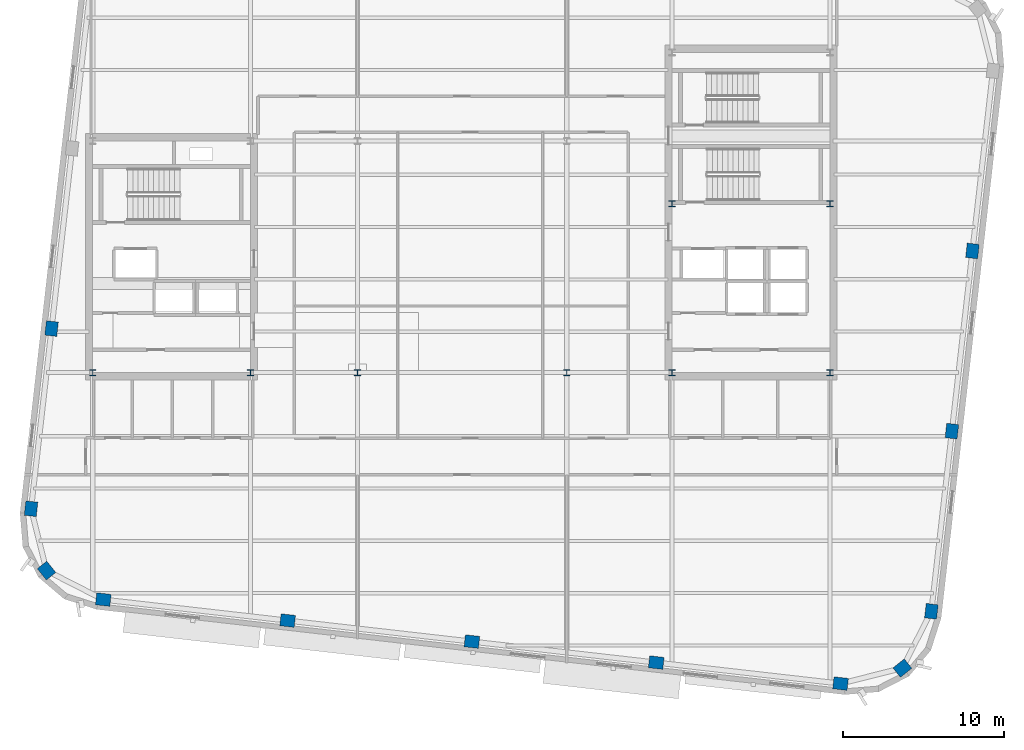
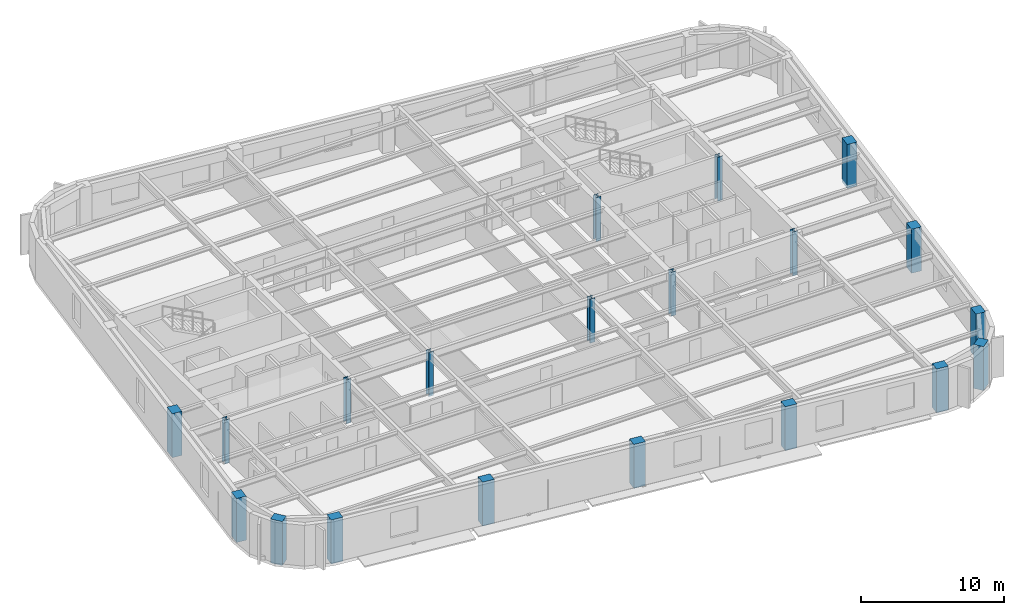
# One storey, part 1 of 14: 20 columns.
"""IFC4 building model written with IfcOpenShell, lengths in metres."""

from ifc_helpers import new_model, si_unit, direction, frame, origin, origin_2d, place, context, subcontext, project, spatial, rectangle, i_section, extrude, material, material_profile, profile_set, type_object, element, save


model = new_model("IFC4")

# Units and contexts
model_context = context("Model", 3, precision=1e-05, world=origin(), true_north=direction((0.0, 1.0)))
body_context = subcontext(model_context, "Body", "Model", "MODEL_VIEW")
ifc_project = project(units=[si_unit("LENGTHUNIT", "METRE"), si_unit("AREAUNIT", "SQUARE_METRE"), si_unit("VOLUMEUNIT", "CUBIC_METRE"), si_unit("PLANEANGLEUNIT", "RADIAN"), si_unit("MASSUNIT", "GRAM", prefix="KILO")], contexts=[model_context])

# Site, building, storey
site_placement = place(None, origin())
site = spatial("IfcSite", under=ifc_project, at=site_placement, CompositionType="ELEMENT")
building_placement = place(site_placement, origin())
building = spatial("IfcBuilding", under=site, at=building_placement, Name="Kolvaren Arena Tower", CompositionType="ELEMENT")
storey_placement = place(building_placement, frame((0.0, 0.0, 247.199951171875)))
storey = spatial("IfcBuildingStorey", under=building, at=storey_placement, Name="L60", CompositionType="ELEMENT", Elevation=247.199951171875)

# Columns
ifc_material_1 = material(Name="Precast concrete C55/67", Category="concrete")
ifc_material_profile_1 = material_profile(ifc_material_1, rectangle(XDim=0.89990234375, YDim=0.75, at=origin_2d()), Name="RC-900x750")
ifc_profile_set_1 = profile_set([ifc_material_profile_1], Name="Precast concrete C55/67")
column_type_1 = type_object("IfcColumnType", Name="EXCOL-Z4", PredefinedType="COLUMN", material=ifc_profile_set_1)
for number, where, z_axis, x_axis, name in (
    (1, (15.207763671875, 5.350830078125, -0.27001953125), (0.0, 0.0, 1.0), (0.993571855677, -0.113203213768, 0.0), "Exoskeleton Perimeter Column 01 (L60)"),
    (2, (26.65869140625, 4.046142578125, -0.27001953125), (0.0, 0.0, 1.0), (0.993571855677, -0.113203213768, 0.0), "Exoskeleton Perimeter Column 02 (L60)"),
    (3, (38.109619140625, 2.741455078125, -0.27001953125), (0.0, 0.0, 1.0), (0.993571855677, -0.113203213768, 0.0), "Exoskeleton Perimeter Column 03 (L60)"),
    (4, (49.560302734375, 1.436767578125, -0.27001953125), (0.0, 0.0, 1.0), (0.993571855677, -0.113203213768, 0.0), "Exoskeleton Perimeter Column 04 (L60)"),
    (5, (61.011474609375, 0.132080078125, -0.27001953125), (0.0, 0.0, 1.0), (0.993571855677, -0.113203213768, 0.0), "Exoskeleton Perimeter Column 05 (L60)"),
    (6, (64.853759765625, 1.094482421875, -0.27001953125), (0.0, 0.0, 1.0), (0.782608156852, 0.622514636638, 0.0), "Exoskeleton Perimeter Column 06 (L60)"),
    (7, (66.656005859375, 4.6220703125, -0.27001953125), (0.0, 0.0, 1.0), (0.113203213768, 0.993571855677, 0.0), "Exoskeleton Perimeter Column 07 (L60)"),
    (8, (67.931396484375, 15.816162109375, -0.27001953125), (0.0, 0.0, 1.0), (0.113203213768, 0.993571855677, 0.0), "Exoskeleton Perimeter Column 08 (L60)"),
    (9, (69.206787109375, 27.010498046875, -0.27001953125), (0.0, 0.0, 1.0), (0.113203213768, 0.993571855677, 0.0), "Exoskeleton Perimeter Column 09 (L60)"),
    (10, (11.9931640625, 22.189453125, -0.27001953125), (0.0, 0.0, 1.0), (0.113203213768, 0.993571855677, 0.0), "Exoskeleton Perimeter Column 20 (L60)"),
    (11, (10.7177734375, 10.995361328125, -0.27001953125), (0.0, 0.0, 1.0), (0.113203213768, 0.993571855677, 0.0), "Exoskeleton Perimeter Column 21 (L60)"),
    (12, (11.680419921875, 7.15283203125, -0.27001953125), (0.0, 0.0, 1.0), (-0.622514636638, 0.782608156852, 0.0), "Exoskeleton Perimeter Column 22 (L60)"),
):
    element("IfcColumn", number, at=place(storey_placement, frame(where, z_axis=z_axis, x_axis=x_axis)), inside=storey, type_object=column_type_1, Name=name, PredefinedType="COLUMN", context=body_context, shape_type="SweptSolid", body=[
        extrude(rectangle(XDim=0.89990234375, YDim=0.75, at=origin_2d()), origin(), (0.0, 0.0, 1.0), 3.75),
    ])
ifc_material_2 = material(Name="Steel ASTM A913 Grade 65", Category="steel")
ifc_material_profile_2 = material_profile(ifc_material_2, i_section(OverallWidth=0.39892578125, OverallDepth=0.39306640625, WebThickness=0.022705078125, FlangeThickness=0.03662109375, FilletRadius=0.02001953125, at=origin_2d()), Name="W360x287")
ifc_profile_set_2 = profile_set([ifc_material_profile_2], Name="Steel ASTM A913 Grade 65")
column_type_2 = type_object("IfcColumnType", Name="SCOL-Z4", PredefinedType="COLUMN", material=ifc_profile_set_2)
for number, where, z_axis, x_axis, name in (
    (13, (14.550048828125, 19.449951171875, -0.27001953125), (0.0, 0.0, 1.0), (1.0, 0.0, 0.0), "Core Boundary Column WC-SW (L60)"),
    (14, (24.35009765625, 19.449951171875, -0.27001953125), (0.0, 0.0, 1.0), (1.0, 0.0, 0.0), "Core Boundary Column WC-SE (L60)"),
    (15, (50.550048828125, 19.449951171875, -0.27001953125), (0.0, 0.0, 1.0), (1.0, 0.0, 0.0), "Core Boundary Column EC-SW (L60)"),
    (16, (60.35009765625, 19.449951171875, -0.27001953125), (0.0, 0.0, 1.0), (1.0, 0.0, 0.0), "Core Boundary Column EC-SE (L60)"),
    (17, (50.550048828125, 29.949951171875, -0.27001953125), (0.0, 0.0, 1.0), (1.0, 0.0, 0.0), "Core Boundary Column EC-MW (L60)"),
    (18, (60.35009765625, 29.949951171875, -0.27001953125), (0.0, 0.0, 1.0), (1.0, 0.0, 0.0), "Core Boundary Column EC-ME (L60)"),
    (19, (31.0, 19.449951171875, -0.27001953125), (0.0, 0.0, 1.0), (1.0, 0.0, 0.0), "Interior Gravity Column TC-SW (L60)"),
    (20, (44.0, 19.449951171875, -0.27001953125), (0.0, 0.0, 1.0), (1.0, 0.0, 0.0), "Interior Gravity Column TC-SE (L60)"),
):
    element("IfcColumn", number, at=place(storey_placement, frame(where, z_axis=z_axis, x_axis=x_axis)), inside=storey, type_object=column_type_2, Name=name, PredefinedType="COLUMN", context=body_context, shape_type="SweptSolid", body=[
        extrude(i_section(OverallWidth=0.39892578125, OverallDepth=0.39306640625, WebThickness=0.022705078125, FlangeThickness=0.03662109375, FilletRadius=0.02001953125, at=origin_2d()), origin(), (0.0, 0.0, 1.0), 3.75),
    ])

save(model, "model.ifc")
